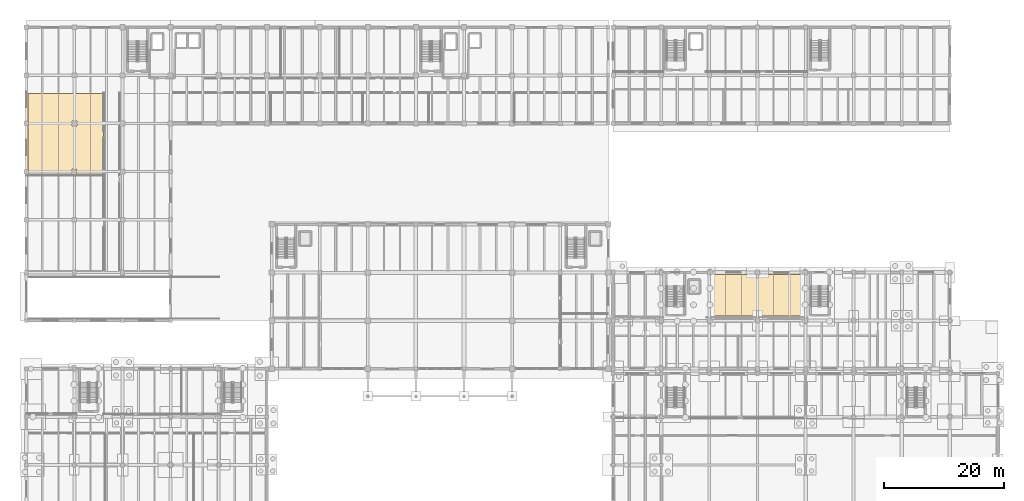
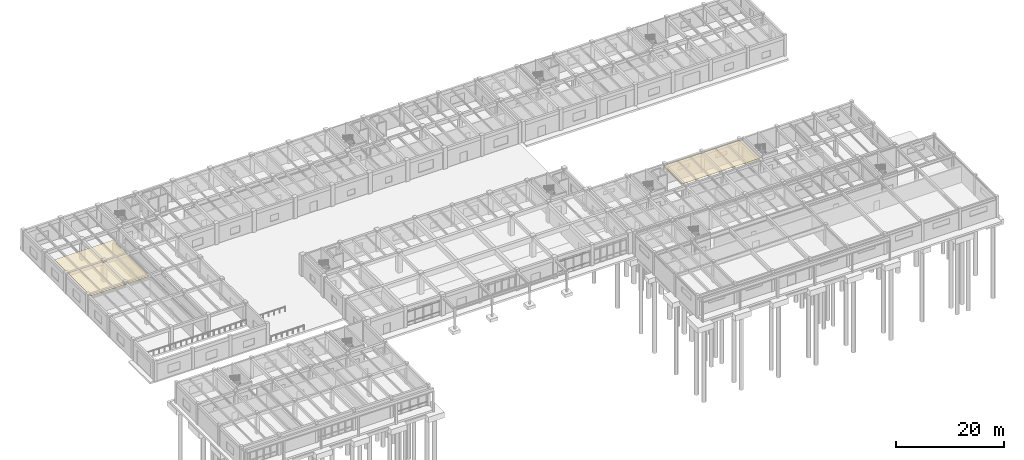
# One storey, part 55 of 64: 2 coverings.
"""IFC4 building model written with IfcOpenShell, lengths in metres."""

from ifc_helpers import new_model, si_unit, direction, frame, origin, place, context, subcontext, project, spatial, polyline, outline, extrude, material, layer, layer_set, type_object, element, save


model = new_model("IFC4")

# Units and contexts
model_context = context("Model", 3, precision=1e-05, world=origin(), true_north=direction((0.0, 1.0)))
body_context = subcontext(model_context, "Body", "Model", "MODEL_VIEW")
ifc_project = project(units=[si_unit("LENGTHUNIT", "METRE"), si_unit("AREAUNIT", "SQUARE_METRE"), si_unit("VOLUMEUNIT", "CUBIC_METRE"), si_unit("PLANEANGLEUNIT", "RADIAN"), si_unit("MASSUNIT", "GRAM", prefix="KILO")], contexts=[model_context])

# Site, building, storey
site_placement = place(None, origin())
site = spatial("IfcSite", under=ifc_project, at=site_placement, CompositionType="ELEMENT")
building_placement = place(site_placement, origin())
building = spatial("IfcBuilding", under=site, at=building_placement, Name="Tlaxcora Railside Police Headquarters", CompositionType="ELEMENT")
storey_placement = place(building_placement, origin())
storey = spatial("IfcBuildingStorey", under=building, at=storey_placement, Name="L00", CompositionType="ELEMENT", Elevation=0.0)

# Coverings
ifc_material = material(Name="Mineral-fibre acoustic ceiling tile")
ifc_layer = layer(ifc_material, 0.034912109375, Name="Mineral-fibre acoustic ceiling tile")
ifc_layer_set = layer_set([ifc_layer], Name="Mineral-fibre acoustic ceiling tile")
covering_type = type_object("IfcCoveringType", Name="Acoustic Suspended Ceiling CLG-01", PredefinedType="CEILING", material=ifc_layer_set)
covering_1_placement = place(storey_placement, frame((0.0, 0.0, 4.364990234375)))
element("IfcCovering", 1, at=covering_1_placement, inside=storey, type_object=covering_type, Name="Custody Suite Booking and Biometric Intake suspended ceiling", PredefinedType="CEILING", context=body_context, shape_type="SweptSolid", body=[
    extrude(outline(polyline([(118.489990234375, 51.699951171875), (118.39990234375, 51.699951171875), (118.39990234375, 44.800048828125), (135.199951171875, 44.800048828125), (135.199951171875, 51.699951171875), (135.110107421875, 51.699951171875), (135.110107421875, 51.590087890625), (134.489990234375, 51.590087890625), (134.489990234375, 51.699951171875), (127.110107421875, 51.699951171875), (127.110107421875, 51.590087890625), (126.489990234375, 51.590087890625), (126.489990234375, 51.699951171875), (119.110107421875, 51.699951171875), (119.110107421875, 51.590087890625), (118.489990234375, 51.590087890625), (118.489990234375, 51.699951171875)])), origin(), (0.0, 0.0, 1.0), 0.034912109375),
])
covering_2_placement = place(storey_placement, frame((0.0, 0.0, 4.364990234375)))
element("IfcCovering", 2, at=covering_2_placement, inside=storey, type_object=covering_type, Name="Report Writing Workstation Room suspended ceiling", PredefinedType="CEILING", context=body_context, shape_type="SweptSolid", body=[
    extrude(outline(polyline([(5.5849609375, 69.18505859375), (5.5849609375, 68.4150390625), (5.5, 68.4150390625), (5.5, 68.264892578125), (18.0, 68.264892578125), (18.0, 81.800048828125), (5.5, 81.800048828125), (5.5, 77.18505859375), (5.5849609375, 77.18505859375), (5.5849609375, 76.4150390625), (5.5, 76.4150390625), (5.5, 69.18505859375), (5.5849609375, 69.18505859375)]), holes=[polyline([(13.5849609375, 69.18505859375), (13.5849609375, 68.4150390625), (12.81494140625, 68.4150390625), (12.81494140625, 69.18505859375), (13.5849609375, 69.18505859375)]), polyline([(13.610107421875, 76.389892578125), (12.7900390625, 76.389892578125), (12.7900390625, 77.2099609375), (13.610107421875, 77.2099609375), (13.610107421875, 76.389892578125)])]), origin(), (0.0, 0.0, 1.0), 0.034912109375),
])

save(model, "model.ifc")
